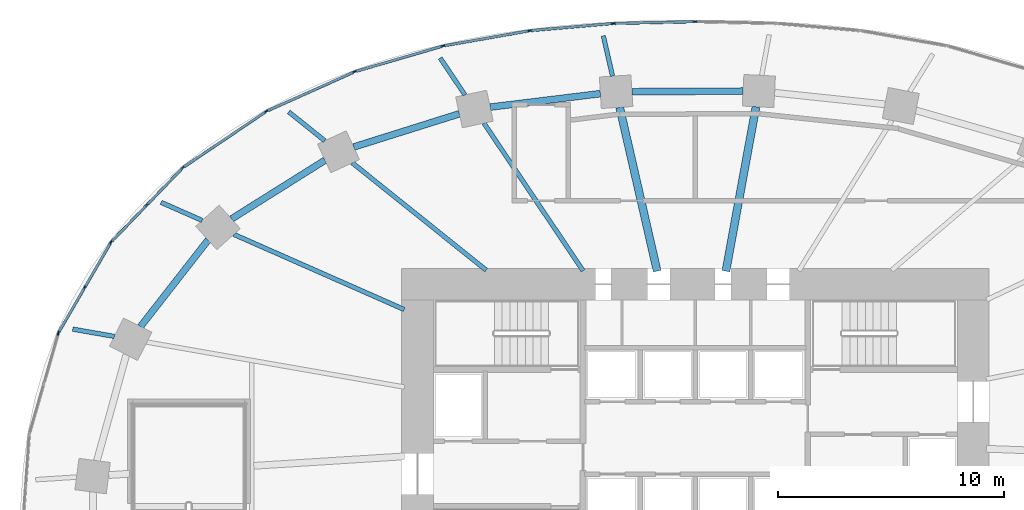
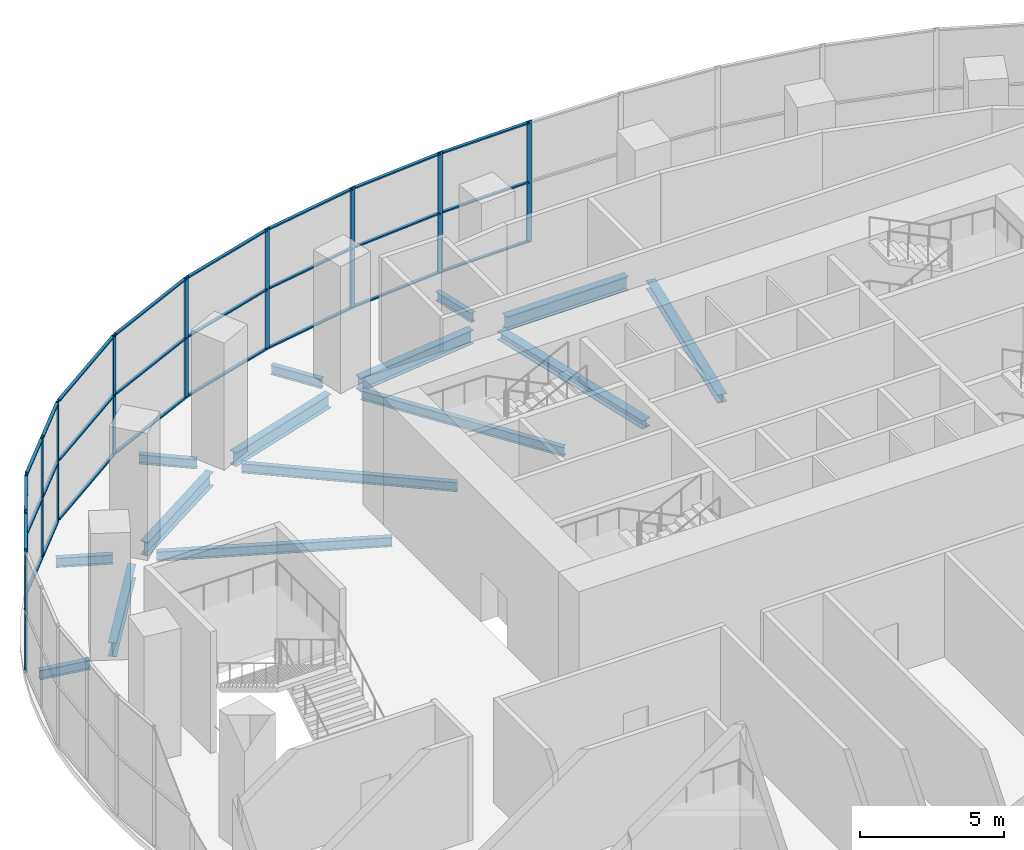
# One storey, part 7 of 20: 41 members, 15 beams, 9 elements without a shape of their own.
"""IFC4 building model written with IfcOpenShell, lengths in metres."""

from ifc_helpers import new_model, si_unit, direction, frame, origin, origin_2d, place, context, subcontext, project, spatial, rectangle, i_section, extrude, material, material_profile, profile_set, type_object, element, aggregate, save


model = new_model("IFC4")

# Units and contexts
model_context = context("Model", 3, precision=1e-05, world=origin(), true_north=direction((0.0, 1.0)))
body_context = subcontext(model_context, "Body", "Model", "MODEL_VIEW")
ifc_project = project(units=[si_unit("LENGTHUNIT", "METRE"), si_unit("AREAUNIT", "SQUARE_METRE"), si_unit("VOLUMEUNIT", "CUBIC_METRE"), si_unit("PLANEANGLEUNIT", "RADIAN"), si_unit("MASSUNIT", "GRAM", prefix="KILO")], contexts=[model_context])

# Site, building, storey
site_placement = place(None, origin())
site = spatial("IfcSite", under=ifc_project, at=site_placement, CompositionType="ELEMENT")
building_placement = place(site_placement, origin())
building = spatial("IfcBuilding", under=site, at=building_placement, Name="Rubra Terraces Tower", CompositionType="ELEMENT")
storey_placement = place(building_placement, frame((0.0, 0.0, 22.800048828125)))
storey = spatial("IfcBuildingStorey", under=building, at=storey_placement, Name="L03", CompositionType="ELEMENT", Elevation=22.800048828125)

# Beams
ifc_material_1 = material(Name="Steel Q355B", Category="steel")
ifc_material_profile_1 = material_profile(ifc_material_1, i_section(OverallWidth=0.199951171875, OverallDepth=0.39990234375, WebThickness=0.008056640625, FlangeThickness=0.012939453125, at=origin_2d()), Name="HN 400x200x8x13")
ifc_profile_set_1 = profile_set([ifc_material_profile_1], Name="Steel Q355B")
beam_type_1 = type_object("IfcBeamType", Name="CANTILEVER BEAM HN 400x200x8x13", PredefinedType="BEAM", material=ifc_profile_set_1)
beam_1_placement = place(storey_placement, frame((-3.6669921875, 20.514892578125, -0.449951171875), z_axis=(-0.223175715845, 0.974778231116, 0.0), x_axis=(-0.974778231116, -0.223175715845, 0.0)))
element("IfcBeam", 1, at=beam_1_placement, inside=storey, type_object=beam_type_1, Name="beam-L03-cant-07", PredefinedType="BEAM", context=body_context, shape_type="SweptSolid", body=[
    extrude(i_section(OverallWidth=0.199951171875, OverallDepth=0.39990234375, WebThickness=0.008056640625, FlangeThickness=0.012939453125, at=origin_2d()), origin(), (0.0, 0.0, 1.0), 1.832275390625),
])
beam_2_placement = place(storey_placement, frame((-10.199951171875, 19.68310546875, -0.449951171875), z_axis=(-0.557732327532, 0.830020873729, 0.0), x_axis=(-0.830020873729, -0.557732327532, 0.0)))
element("IfcBeam", 2, at=beam_2_placement, inside=storey, type_object=beam_type_1, Name="beam-L03-cant-08", PredefinedType="BEAM", context=body_context, shape_type="SweptSolid", body=[
    extrude(i_section(OverallWidth=0.199951171875, OverallDepth=0.39990234375, WebThickness=0.008056640625, FlangeThickness=0.012939453125, at=origin_2d()), origin(), (0.0, 0.0, 1.0), 1.96728515625),
])
beam_3_placement = place(storey_placement, frame((-16.408935546875, 17.654052734375, -0.449951171875), z_axis=(-0.780088162003, 0.625669608901, 0.0), x_axis=(-0.625669608901, -0.780088162003, 0.0)))
element("IfcBeam", 3, at=beam_3_placement, inside=storey, type_object=beam_type_1, Name="beam-L03-cant-09", PredefinedType="BEAM", context=body_context, shape_type="SweptSolid", body=[
    extrude(i_section(OverallWidth=0.199951171875, OverallDepth=0.39990234375, WebThickness=0.008056640625, FlangeThickness=0.012939453125, at=origin_2d()), origin(), (0.0, 0.0, 1.0), 2.0458984375),
])
beam_4_placement = place(storey_placement, frame((-21.8369140625, 14.1259765625, -0.449951171875), z_axis=(-0.914937817451, 0.403594834205, 0.0), x_axis=(-0.403594834205, -0.914937817451, 0.0)))
element("IfcBeam", 4, at=beam_4_placement, inside=storey, type_object=beam_type_1, Name="beam-L03-cant-10", PredefinedType="BEAM", context=body_context, shape_type="SweptSolid", body=[
    extrude(i_section(OverallWidth=0.199951171875, OverallDepth=0.39990234375, WebThickness=0.008056640625, FlangeThickness=0.012939453125, at=origin_2d()), origin(), (0.0, 0.0, 1.0), 1.987060546875),
])
beam_5_placement = place(storey_placement, frame((-25.722900390625, 8.991943359375, -0.449951171875), z_axis=(-0.985091859612, 0.172029149057, 0.0), x_axis=(-0.172029149057, -0.985091859612, 0.0)))
element("IfcBeam", 5, at=beam_5_placement, inside=storey, type_object=beam_type_1, Name="beam-L03-cant-11", PredefinedType="BEAM", context=body_context, shape_type="SweptSolid", body=[
    extrude(i_section(OverallWidth=0.199951171875, OverallDepth=0.39990234375, WebThickness=0.008056640625, FlangeThickness=0.012939453125, at=origin_2d()), origin(), (0.0, 0.0, 1.0), 1.871826171875),
])
ifc_material_profile_2 = material_profile(ifc_material_1, i_section(OverallWidth=0.199951171875, OverallDepth=0.39990234375, WebThickness=0.008056640625, FlangeThickness=0.012939453125, at=origin_2d()), Name="HN 400x200x8x13")
ifc_profile_set_2 = profile_set([ifc_material_profile_2], Name="Steel Q355B")
beam_type_2 = type_object("IfcBeamType", Name="FLOOR BEAM HN 400x200x8x13", PredefinedType="BEAM", material=ifc_profile_set_2)
beam_6_placement = place(storey_placement, frame((-9.360107421875, 18.43310546875, -0.449951171875), z_axis=(0.557574689395, -0.830126776912, 0.0), x_axis=(0.830126776912, 0.557574689395, 0.0)))
element("IfcBeam", 6, at=beam_6_placement, inside=storey, type_object=beam_type_2, Name="beam-L03-floor-08", PredefinedType="BEAM", context=body_context, shape_type="SweptSolid", body=[
    extrude(i_section(OverallWidth=0.199951171875, OverallDepth=0.39990234375, WebThickness=0.008056640625, FlangeThickness=0.012939453125, at=origin_2d()), origin(), (0.0, 0.0, 1.0), 7.8701171875),
])
beam_7_placement = place(storey_placement, frame((-15.18896484375, 16.676025390625, -0.449951171875), z_axis=(0.780266406942, -0.625447307291, 0.0), x_axis=(0.625447307291, 0.780266406942, 0.0)))
element("IfcBeam", 7, at=beam_7_placement, inside=storey, type_object=beam_type_2, Name="beam-L03-floor-09", PredefinedType="BEAM", context=body_context, shape_type="SweptSolid", body=[
    extrude(i_section(OverallWidth=0.199951171875, OverallDepth=0.39990234375, WebThickness=0.008056640625, FlangeThickness=0.012939453125, at=origin_2d()), origin(), (0.0, 0.0, 1.0), 7.59619140625),
])
beam_8_placement = place(storey_placement, frame((-20.43310546875, 13.508056640625, -0.449951171875), z_axis=(0.914994662209, -0.4034659442, 0.0), x_axis=(0.4034659442, 0.914994662209, 0.0)))
element("IfcBeam", 8, at=beam_8_placement, inside=storey, type_object=beam_type_2, Name="beam-L03-floor-10", PredefinedType="BEAM", context=body_context, shape_type="SweptSolid", body=[
    extrude(i_section(OverallWidth=0.199951171875, OverallDepth=0.39990234375, WebThickness=0.008056640625, FlangeThickness=0.012939453125, at=origin_2d()), origin(), (0.0, 0.0, 1.0), 8.243896484375),
])
ifc_material_profile_3 = material_profile(ifc_material_1, i_section(OverallWidth=0.35009765625, OverallDepth=0.35009765625, WebThickness=0.011962890625, FlangeThickness=0.01904296875, at=origin_2d()), Name="HW 350x350x12x19")
ifc_profile_set_3 = profile_set([ifc_material_profile_3], Name="Steel Q355B")
beam_type_3 = type_object("IfcBeamType", Name="FLOOR BEAM HW 350x350x12x19", PredefinedType="BEAM", material=ifc_profile_set_3)
beam_9_placement = place(storey_placement, frame((2.68408203125, 19.158935546875, -0.425048828125), z_axis=(-0.180186319425, -0.983632497578, 0.0), x_axis=(0.983632497578, -0.180186319425, 0.0)))
element("IfcBeam", 9, at=beam_9_placement, inside=storey, type_object=beam_type_3, Name="beam-L03-floor-06", PredefinedType="BEAM", context=body_context, shape_type="SweptSolid", body=[
    extrude(i_section(OverallWidth=0.35009765625, OverallDepth=0.35009765625, WebThickness=0.011962890625, FlangeThickness=0.01904296875, at=origin_2d()), origin(), (0.0, 0.0, 1.0), 7.39794921875),
])
beam_10_placement = place(storey_placement, frame((-3.35107421875, 19.133056640625, -0.425048828125), z_axis=(0.223209821828, -0.974770421914, 0.0), x_axis=(0.974770421914, 0.223209821828, 0.0)))
element("IfcBeam", 10, at=beam_10_placement, inside=storey, type_object=beam_type_3, Name="beam-L03-floor-07", PredefinedType="BEAM", context=body_context, shape_type="SweptSolid", body=[
    extrude(i_section(OverallWidth=0.35009765625, OverallDepth=0.35009765625, WebThickness=0.011962890625, FlangeThickness=0.01904296875, at=origin_2d()), origin(), (0.0, 0.0, 1.0), 7.437744140625),
])

# Curtain wall, member
ifc_material_2 = material(Name="Aluminium and glass", Category="aluminium")
curtain_wall_type = type_object("IfcCurtainWallType", Name="Curtain wall Podium glazing", PredefinedType="NOTDEFINED", material=ifc_material_2)
curtain_wall_1_placement = place(storey_placement, origin())
curtain_wall_1 = element("IfcCurtainWall", 11, at=curtain_wall_1_placement, inside=storey, type_object=curtain_wall_type, Name="L03 glazing bay 11", PredefinedType="NOTDEFINED")
ifc_material_3 = material(Name="Aluminium, anodised dark grey", Category="aluminium")
ifc_material_profile_4 = material_profile(ifc_material_3, rectangle(XDim=0.06005859375, YDim=0.199951171875, at=origin_2d()), Name="AL 60x200")
ifc_profile_set_4 = profile_set([ifc_material_profile_4], Name="Aluminium, anodised dark grey")
member_type_1 = type_object("IfcMemberType", Name="Podium glazing mullion 60 x 200", PredefinedType="MULLION", material=ifc_profile_set_4)
member_1_placement = place(storey_placement, frame((-0.0283203125, 22.92431640625, 0.0), z_axis=(0.0, 0.0, 1.0), x_axis=(0.021482644428, -0.999769221365, 0.0)))
member_1 = element("IfcMember", 12, at=member_1_placement, type_object=member_type_1, Name="CW1 mullion 1", PredefinedType="MULLION", context=body_context, shape_type="SweptSolid", body=[
    extrude(rectangle(XDim=0.06005859375, YDim=0.199951171875, at=origin_2d()), origin(), (0.0, 0.0, 1.0), 5.14990234375),
])

curtain_wall_2_placement = place(storey_placement, origin())
curtain_wall_2 = element("IfcCurtainWall", 13, at=curtain_wall_2_placement, inside=storey, type_object=curtain_wall_type, Name="L03 glazing bay 12", PredefinedType="NOTDEFINED")
member_2_placement = place(storey_placement, frame((-3.6533203125, 22.8447265625, 0.0), z_axis=(0.0, 0.0, 1.0), x_axis=(0.08639804595, -0.996260697637, 0.0)))
member_2 = element("IfcMember", 14, at=member_2_placement, type_object=member_type_1, Name="CW1 mullion 1", PredefinedType="MULLION", context=body_context, shape_type="SweptSolid", body=[
    extrude(rectangle(XDim=0.06005859375, YDim=0.199951171875, at=origin_2d()), origin(), (0.0, 0.0, 1.0), 5.14990234375),
])

curtain_wall_3_placement = place(storey_placement, origin())
curtain_wall_3 = element("IfcCurtainWall", 15, at=curtain_wall_3_placement, inside=storey, type_object=curtain_wall_type, Name="L03 glazing bay 13", PredefinedType="NOTDEFINED")
member_3_placement = place(storey_placement, frame((-7.359619140625, 22.52099609375, 0.0), z_axis=(0.0, 0.0, 1.0), x_axis=(0.172816985997, -0.984953952909, 0.0)))
member_3 = element("IfcMember", 16, at=member_3_placement, type_object=member_type_1, Name="CW1 mullion 1", PredefinedType="MULLION", context=body_context, shape_type="SweptSolid", body=[
    extrude(rectangle(XDim=0.06005859375, YDim=0.199951171875, at=origin_2d()), origin(), (0.0, 0.0, 1.0), 5.14990234375),
])

curtain_wall_4_placement = place(storey_placement, origin())
curtain_wall_4 = element("IfcCurtainWall", 17, at=curtain_wall_4_placement, inside=storey, type_object=curtain_wall_type, Name="L03 glazing bay 14", PredefinedType="NOTDEFINED")
member_4_placement = place(storey_placement, frame((-11.180908203125, 21.84765625, 0.0), z_axis=(0.0, 0.0, 1.0), x_axis=(0.279399200229, -0.96017502931, 0.0)))
member_4 = element("IfcMember", 18, at=member_4_placement, type_object=member_type_1, Name="CW1 mullion 1", PredefinedType="MULLION", context=body_context, shape_type="SweptSolid", body=[
    extrude(rectangle(XDim=0.06005859375, YDim=0.199951171875, at=origin_2d()), origin(), (0.0, 0.0, 1.0), 5.14990234375),
])

curtain_wall_5_placement = place(storey_placement, origin())
curtain_wall_5 = element("IfcCurtainWall", 19, at=curtain_wall_5_placement, inside=storey, type_object=curtain_wall_type, Name="L03 glazing bay 15", PredefinedType="NOTDEFINED")
member_5_placement = place(storey_placement, frame((-15.09765625, 20.704345703125, 0.0), z_axis=(0.0, 0.0, 1.0), x_axis=(0.4089624427, -0.912551215254, 0.0)))
member_5 = element("IfcMember", 20, at=member_5_placement, type_object=member_type_1, Name="CW1 mullion 1", PredefinedType="MULLION", context=body_context, shape_type="SweptSolid", body=[
    extrude(rectangle(XDim=0.06005859375, YDim=0.199951171875, at=origin_2d()), origin(), (0.0, 0.0, 1.0), 5.14990234375),
])

curtain_wall_6_placement = place(storey_placement, origin())
curtain_wall_6 = element("IfcCurtainWall", 21, at=curtain_wall_6_placement, inside=storey, type_object=curtain_wall_type, Name="L03 glazing bay 16", PredefinedType="NOTDEFINED")
member_6_placement = place(storey_placement, frame((-19.009033203125, 18.947021484375, 0.0), z_axis=(0.0, 0.0, 1.0), x_axis=(0.55927727939, -0.828980654031, 0.0)))
member_6 = element("IfcMember", 22, at=member_6_placement, type_object=member_type_1, Name="CW1 mullion 1", PredefinedType="MULLION", context=body_context, shape_type="SweptSolid", body=[
    extrude(rectangle(XDim=0.06005859375, YDim=0.199951171875, at=origin_2d()), origin(), (0.0, 0.0, 1.0), 5.14990234375),
])

# Curtain wall, members
curtain_wall_7_placement = place(storey_placement, origin())
curtain_wall_7 = element("IfcCurtainWall", 23, at=curtain_wall_7_placement, inside=storey, type_object=curtain_wall_type, Name="L03 glazing bay 17", PredefinedType="NOTDEFINED")
member_7_placement = place(storey_placement, frame((-22.705810546875, 16.447265625, 0.0), z_axis=(0.0, 0.0, 1.0), x_axis=(0.71982488517, -0.69415569917, 0.0)))
member_7 = element("IfcMember", 24, at=member_7_placement, type_object=member_type_1, Name="CW1 mullion 1", PredefinedType="MULLION", context=body_context, shape_type="SweptSolid", body=[
    extrude(rectangle(XDim=0.06005859375, YDim=0.199951171875, at=origin_2d()), origin(), (0.0, 0.0, 1.0), 5.14990234375),
])
member_8_placement = place(storey_placement, frame((-24.280517578125, 14.814453125, 0.0), z_axis=(0.0, 0.0, 1.0), x_axis=(0.71982488517, -0.69415569917, 0.0)))
member_8 = element("IfcMember", 25, at=member_8_placement, type_object=member_type_1, Name="CW1 mullion 2", PredefinedType="MULLION", context=body_context, shape_type="SweptSolid", body=[
    extrude(rectangle(XDim=0.06005859375, YDim=0.199951171875, at=origin_2d()), origin(), (0.0, 0.0, 1.0), 5.14990234375),
])

curtain_wall_8_placement = place(storey_placement, origin())
curtain_wall_8 = element("IfcCurtainWall", 26, at=curtain_wall_8_placement, inside=storey, type_object=curtain_wall_type, Name="L03 glazing bay 18", PredefinedType="NOTDEFINED")
member_9_placement = place(storey_placement, frame((-25.880126953125, 13.1484375, 0.0), z_axis=(0.0, 0.0, 1.0), x_axis=(0.864813011398, -0.502094070187, 0.0)))
member_9 = element("IfcMember", 27, at=member_9_placement, type_object=member_type_1, Name="CW1 mullion 1", PredefinedType="MULLION", context=body_context, shape_type="SweptSolid", body=[
    extrude(rectangle(XDim=0.06005859375, YDim=0.199951171875, at=origin_2d()), origin(), (0.0, 0.0, 1.0), 5.14990234375),
])
member_10_placement = place(storey_placement, frame((-27.0341796875, 11.160888671875, 0.0), z_axis=(0.0, 0.0, 1.0), x_axis=(0.864813011398, -0.502094070187, 0.0)))
member_10 = element("IfcMember", 28, at=member_10_placement, type_object=member_type_1, Name="CW1 mullion 2", PredefinedType="MULLION", context=body_context, shape_type="SweptSolid", body=[
    extrude(rectangle(XDim=0.06005859375, YDim=0.199951171875, at=origin_2d()), origin(), (0.0, 0.0, 1.0), 5.14990234375),
])

# Curtain wall, member
curtain_wall_9_placement = place(storey_placement, origin())
curtain_wall_9 = element("IfcCurtainWall", 29, at=curtain_wall_9_placement, inside=storey, type_object=curtain_wall_type, Name="L03 glazing bay 19", PredefinedType="NOTDEFINED")
member_11_placement = place(storey_placement, frame((-28.2041015625, 9.135498046875, 0.0), z_axis=(0.0, 0.0, 1.0), x_axis=(0.961047339404, -0.276383811798, 0.0)))
member_11 = element("IfcMember", 30, at=member_11_placement, type_object=member_type_1, Name="CW1 mullion 1", PredefinedType="MULLION", context=body_context, shape_type="SweptSolid", body=[
    extrude(rectangle(XDim=0.06005859375, YDim=0.199951171875, at=origin_2d()), origin(), (0.0, 0.0, 1.0), 5.14990234375),
])
aggregate(curtain_wall_9, [member_11])

# Member
ifc_material_profile_5 = material_profile(ifc_material_3, rectangle(XDim=0.1201171875, YDim=0.06005859375, at=origin_2d()), Name="AL 120x60")
ifc_profile_set_5 = profile_set([ifc_material_profile_5], Name="Aluminium, anodised dark grey")
member_type_2 = type_object("IfcMemberType", Name="Podium glazing transom 120 x 60", PredefinedType="USERDEFINED", material=ifc_profile_set_5)
member_12_placement = place(storey_placement, frame((-0.058349609375, 22.923828125, 0.06005859375), z_axis=(-0.99976911273, -0.021487699509, 0.0), x_axis=(0.021487699509, -0.99976911273, 0.0)))
member_12 = element("IfcMember", 31, at=member_12_placement, type_object=member_type_2, Name="CW1 transom 1.1", ObjectType="TRANSOM", PredefinedType="USERDEFINED", context=body_context, shape_type="SweptSolid", body=[
    extrude(rectangle(XDim=0.1201171875, YDim=0.06005859375, at=origin_2d()), origin(), (0.0, 0.0, 1.0), 3.5107421875),
])

member_13_placement = place(storey_placement, frame((-0.058349609375, 22.923828125, 2.574951171875), z_axis=(-0.99976911273, -0.021487699509, 0.0), x_axis=(0.021487699509, -0.99976911273, 0.0)))
member_13 = element("IfcMember", 32, at=member_13_placement, type_object=member_type_2, Name="CW1 transom 1.2", ObjectType="TRANSOM", PredefinedType="USERDEFINED", context=body_context, shape_type="SweptSolid", body=[
    extrude(rectangle(XDim=0.1201171875, YDim=0.06005859375, at=origin_2d()), origin(), (0.0, 0.0, 1.0), 3.5107421875),
])

member_14_placement = place(storey_placement, frame((-0.058349609375, 22.923828125, 5.08984375), z_axis=(-0.99976911273, -0.021487699509, 0.0), x_axis=(0.021487699509, -0.99976911273, 0.0)))
member_14 = element("IfcMember", 33, at=member_14_placement, type_object=member_type_2, Name="CW1 transom 1.3", ObjectType="TRANSOM", PredefinedType="USERDEFINED", context=body_context, shape_type="SweptSolid", body=[
    extrude(rectangle(XDim=0.1201171875, YDim=0.06005859375, at=origin_2d()), origin(), (0.0, 0.0, 1.0), 3.5107421875),
])

aggregate(curtain_wall_1, [member_1, member_12, member_13, member_14])

member_15_placement = place(storey_placement, frame((-3.683349609375, 22.842041015625, 0.06005859375), z_axis=(-0.996262906738, -0.086372568895, 0.0), x_axis=(0.086372568895, -0.996262906738, 0.0)))
member_15 = element("IfcMember", 34, at=member_15_placement, type_object=member_type_2, Name="CW1 transom 1.1", ObjectType="TRANSOM", PredefinedType="USERDEFINED", context=body_context, shape_type="SweptSolid", body=[
    extrude(rectangle(XDim=0.1201171875, YDim=0.06005859375, at=origin_2d()), origin(), (0.0, 0.0, 1.0), 3.606689453125),
])

member_16_placement = place(storey_placement, frame((-3.683349609375, 22.842041015625, 2.574951171875), z_axis=(-0.996262906738, -0.086372568895, 0.0), x_axis=(0.086372568895, -0.996262906738, 0.0)))
member_16 = element("IfcMember", 35, at=member_16_placement, type_object=member_type_2, Name="CW1 transom 1.2", ObjectType="TRANSOM", PredefinedType="USERDEFINED", context=body_context, shape_type="SweptSolid", body=[
    extrude(rectangle(XDim=0.1201171875, YDim=0.06005859375, at=origin_2d()), origin(), (0.0, 0.0, 1.0), 3.606689453125),
])

member_17_placement = place(storey_placement, frame((-3.683349609375, 22.842041015625, 5.08984375), z_axis=(-0.996262906738, -0.086372568895, 0.0), x_axis=(0.086372568895, -0.996262906738, 0.0)))
member_17 = element("IfcMember", 36, at=member_17_placement, type_object=member_type_2, Name="CW1 transom 1.3", ObjectType="TRANSOM", PredefinedType="USERDEFINED", context=body_context, shape_type="SweptSolid", body=[
    extrude(rectangle(XDim=0.1201171875, YDim=0.06005859375, at=origin_2d()), origin(), (0.0, 0.0, 1.0), 3.606689453125),
])

aggregate(curtain_wall_2, [member_2, member_15, member_16, member_17])

member_18_placement = place(storey_placement, frame((-7.38916015625, 22.515625, 0.06005859375), z_axis=(-0.984959152546, -0.172787348539, 0.0), x_axis=(0.172787348539, -0.984959152546, 0.0)))
member_18 = element("IfcMember", 37, at=member_18_placement, type_object=member_type_2, Name="CW1 transom 1.1", ObjectType="TRANSOM", PredefinedType="USERDEFINED", context=body_context, shape_type="SweptSolid", body=[
    extrude(rectangle(XDim=0.1201171875, YDim=0.06005859375, at=origin_2d()), origin(), (0.0, 0.0, 1.0), 3.768310546875),
])

member_19_placement = place(storey_placement, frame((-7.38916015625, 22.515625, 2.574951171875), z_axis=(-0.984959152546, -0.172787348539, 0.0), x_axis=(0.172787348539, -0.984959152546, 0.0)))
member_19 = element("IfcMember", 38, at=member_19_placement, type_object=member_type_2, Name="CW1 transom 1.2", ObjectType="TRANSOM", PredefinedType="USERDEFINED", context=body_context, shape_type="SweptSolid", body=[
    extrude(rectangle(XDim=0.1201171875, YDim=0.06005859375, at=origin_2d()), origin(), (0.0, 0.0, 1.0), 3.768310546875),
])

member_20_placement = place(storey_placement, frame((-7.38916015625, 22.515625, 5.08984375), z_axis=(-0.984959152546, -0.172787348539, 0.0), x_axis=(0.172787348539, -0.984959152546, 0.0)))
member_20 = element("IfcMember", 39, at=member_20_placement, type_object=member_type_2, Name="CW1 transom 1.3", ObjectType="TRANSOM", PredefinedType="USERDEFINED", context=body_context, shape_type="SweptSolid", body=[
    extrude(rectangle(XDim=0.1201171875, YDim=0.06005859375, at=origin_2d()), origin(), (0.0, 0.0, 1.0), 3.768310546875),
])

aggregate(curtain_wall_3, [member_3, member_18, member_19, member_20])

member_21_placement = place(storey_placement, frame((-11.209716796875, 21.83935546875, 0.06005859375), z_axis=(-0.960164409194, -0.279435694422, 0.0), x_axis=(0.279435694422, -0.960164409194, 0.0)))
member_21 = element("IfcMember", 40, at=member_21_placement, type_object=member_type_2, Name="CW1 transom 1.1", ObjectType="TRANSOM", PredefinedType="USERDEFINED", context=body_context, shape_type="SweptSolid", body=[
    extrude(rectangle(XDim=0.1201171875, YDim=0.06005859375, at=origin_2d()), origin(), (0.0, 0.0, 1.0), 3.970947265625),
])

member_22_placement = place(storey_placement, frame((-11.209716796875, 21.83935546875, 2.574951171875), z_axis=(-0.960164409194, -0.279435694422, 0.0), x_axis=(0.279435694422, -0.960164409194, 0.0)))
member_22 = element("IfcMember", 41, at=member_22_placement, type_object=member_type_2, Name="CW1 transom 1.2", ObjectType="TRANSOM", PredefinedType="USERDEFINED", context=body_context, shape_type="SweptSolid", body=[
    extrude(rectangle(XDim=0.1201171875, YDim=0.06005859375, at=origin_2d()), origin(), (0.0, 0.0, 1.0), 3.970947265625),
])

member_23_placement = place(storey_placement, frame((-11.209716796875, 21.83935546875, 5.08984375), z_axis=(-0.960164409194, -0.279435694422, 0.0), x_axis=(0.279435694422, -0.960164409194, 0.0)))
member_23 = element("IfcMember", 42, at=member_23_placement, type_object=member_type_2, Name="CW1 transom 1.3", ObjectType="TRANSOM", PredefinedType="USERDEFINED", context=body_context, shape_type="SweptSolid", body=[
    extrude(rectangle(XDim=0.1201171875, YDim=0.06005859375, at=origin_2d()), origin(), (0.0, 0.0, 1.0), 3.970947265625),
])

aggregate(curtain_wall_4, [member_4, member_21, member_22, member_23])

member_24_placement = place(storey_placement, frame((-15.125, 20.692138671875, 0.06005859375), z_axis=(-0.912545396627, -0.408975426029, 0.0), x_axis=(0.408975426029, -0.912545396627, 0.0)))
member_24 = element("IfcMember", 43, at=member_24_placement, type_object=member_type_2, Name="CW1 transom 1.1", ObjectType="TRANSOM", PredefinedType="USERDEFINED", context=body_context, shape_type="SweptSolid", body=[
    extrude(rectangle(XDim=0.1201171875, YDim=0.06005859375, at=origin_2d()), origin(), (0.0, 0.0, 1.0), 4.18115234375),
])

member_25_placement = place(storey_placement, frame((-15.125, 20.692138671875, 2.574951171875), z_axis=(-0.912545396627, -0.408975426029, 0.0), x_axis=(0.408975426029, -0.912545396627, 0.0)))
member_25 = element("IfcMember", 44, at=member_25_placement, type_object=member_type_2, Name="CW1 transom 1.2", ObjectType="TRANSOM", PredefinedType="USERDEFINED", context=body_context, shape_type="SweptSolid", body=[
    extrude(rectangle(XDim=0.1201171875, YDim=0.06005859375, at=origin_2d()), origin(), (0.0, 0.0, 1.0), 4.18115234375),
])

member_26_placement = place(storey_placement, frame((-15.125, 20.692138671875, 5.08984375), z_axis=(-0.912545396627, -0.408975426029, 0.0), x_axis=(0.408975426029, -0.912545396627, 0.0)))
member_26 = element("IfcMember", 45, at=member_26_placement, type_object=member_type_2, Name="CW1 transom 1.3", ObjectType="TRANSOM", PredefinedType="USERDEFINED", context=body_context, shape_type="SweptSolid", body=[
    extrude(rectangle(XDim=0.1201171875, YDim=0.06005859375, at=origin_2d()), origin(), (0.0, 0.0, 1.0), 4.18115234375),
])

aggregate(curtain_wall_5, [member_5, member_24, member_25, member_26])

member_27_placement = place(storey_placement, frame((-19.033935546875, 18.93017578125, 0.06005859375), z_axis=(-0.828996039897, -0.559254473236, 0.0), x_axis=(0.559254473236, -0.828996039897, 0.0)))
member_27 = element("IfcMember", 46, at=member_27_placement, type_object=member_type_2, Name="CW1 transom 1.1", ObjectType="TRANSOM", PredefinedType="USERDEFINED", context=body_context, shape_type="SweptSolid", body=[
    extrude(rectangle(XDim=0.1201171875, YDim=0.06005859375, at=origin_2d()), origin(), (0.0, 0.0, 1.0), 4.35888671875),
])

member_28_placement = place(storey_placement, frame((-19.033935546875, 18.93017578125, 2.574951171875), z_axis=(-0.828996039897, -0.559254473236, 0.0), x_axis=(0.559254473236, -0.828996039897, 0.0)))
member_28 = element("IfcMember", 47, at=member_28_placement, type_object=member_type_2, Name="CW1 transom 1.2", ObjectType="TRANSOM", PredefinedType="USERDEFINED", context=body_context, shape_type="SweptSolid", body=[
    extrude(rectangle(XDim=0.1201171875, YDim=0.06005859375, at=origin_2d()), origin(), (0.0, 0.0, 1.0), 4.35888671875),
])

member_29_placement = place(storey_placement, frame((-19.033935546875, 18.93017578125, 5.08984375), z_axis=(-0.828996039897, -0.559254473236, 0.0), x_axis=(0.559254473236, -0.828996039897, 0.0)))
member_29 = element("IfcMember", 48, at=member_29_placement, type_object=member_type_2, Name="CW1 transom 1.3", ObjectType="TRANSOM", PredefinedType="USERDEFINED", context=body_context, shape_type="SweptSolid", body=[
    extrude(rectangle(XDim=0.1201171875, YDim=0.06005859375, at=origin_2d()), origin(), (0.0, 0.0, 1.0), 4.35888671875),
])

aggregate(curtain_wall_6, [member_6, member_27, member_28, member_29])

member_30_placement = place(storey_placement, frame((-22.7265625, 16.42578125, 0.06005859375), z_axis=(-0.694168299732, -0.719812733735, 0.0), x_axis=(0.719812733735, -0.694168299732, 0.0)))
member_30 = element("IfcMember", 49, at=member_30_placement, type_object=member_type_2, Name="CW1 transom 1.1", ObjectType="TRANSOM", PredefinedType="USERDEFINED", context=body_context, shape_type="SweptSolid", body=[
    extrude(rectangle(XDim=0.1201171875, YDim=0.06005859375, at=origin_2d()), origin(), (0.0, 0.0, 1.0), 2.208740234375),
])

member_31_placement = place(storey_placement, frame((-22.7265625, 16.42578125, 2.574951171875), z_axis=(-0.694168299732, -0.719812733735, 0.0), x_axis=(0.719812733735, -0.694168299732, 0.0)))
member_31 = element("IfcMember", 50, at=member_31_placement, type_object=member_type_2, Name="CW1 transom 1.2", ObjectType="TRANSOM", PredefinedType="USERDEFINED", context=body_context, shape_type="SweptSolid", body=[
    extrude(rectangle(XDim=0.1201171875, YDim=0.06005859375, at=origin_2d()), origin(), (0.0, 0.0, 1.0), 2.208740234375),
])

member_32_placement = place(storey_placement, frame((-22.7265625, 16.42578125, 5.08984375), z_axis=(-0.694168299732, -0.719812733735, 0.0), x_axis=(0.719812733735, -0.694168299732, 0.0)))
member_32 = element("IfcMember", 51, at=member_32_placement, type_object=member_type_2, Name="CW1 transom 1.3", ObjectType="TRANSOM", PredefinedType="USERDEFINED", context=body_context, shape_type="SweptSolid", body=[
    extrude(rectangle(XDim=0.1201171875, YDim=0.06005859375, at=origin_2d()), origin(), (0.0, 0.0, 1.0), 2.208740234375),
])

member_33_placement = place(storey_placement, frame((-24.30126953125, 14.792724609375, 0.06005859375), z_axis=(-0.694223533913, -0.719759463266, 0.0), x_axis=(0.719759463266, -0.694223533913, 0.0)))
member_33 = element("IfcMember", 52, at=member_33_placement, type_object=member_type_2, Name="CW1 transom 2.1", ObjectType="TRANSOM", PredefinedType="USERDEFINED", context=body_context, shape_type="SweptSolid", body=[
    extrude(rectangle(XDim=0.1201171875, YDim=0.06005859375, at=origin_2d()), origin(), (0.0, 0.0, 1.0), 2.20849609375),
])

member_34_placement = place(storey_placement, frame((-24.30126953125, 14.792724609375, 2.574951171875), z_axis=(-0.694223533913, -0.719759463266, 0.0), x_axis=(0.719759463266, -0.694223533913, 0.0)))
member_34 = element("IfcMember", 53, at=member_34_placement, type_object=member_type_2, Name="CW1 transom 2.2", ObjectType="TRANSOM", PredefinedType="USERDEFINED", context=body_context, shape_type="SweptSolid", body=[
    extrude(rectangle(XDim=0.1201171875, YDim=0.06005859375, at=origin_2d()), origin(), (0.0, 0.0, 1.0), 2.20849609375),
])

member_35_placement = place(storey_placement, frame((-24.30126953125, 14.792724609375, 5.08984375), z_axis=(-0.694223533913, -0.719759463266, 0.0), x_axis=(0.719759463266, -0.694223533913, 0.0)))
member_35 = element("IfcMember", 54, at=member_35_placement, type_object=member_type_2, Name="CW1 transom 2.3", ObjectType="TRANSOM", PredefinedType="USERDEFINED", context=body_context, shape_type="SweptSolid", body=[
    extrude(rectangle(XDim=0.1201171875, YDim=0.06005859375, at=origin_2d()), origin(), (0.0, 0.0, 1.0), 2.20849609375),
])

aggregate(curtain_wall_7, [member_7, member_8, member_30, member_31, member_32, member_33, member_34, member_35])

member_36_placement = place(storey_placement, frame((-25.895263671875, 13.122314453125, 0.06005859375), z_axis=(-0.502106569931, -0.864805754162, 0.0), x_axis=(0.864805754162, -0.502106569931, 0.0)))
member_36 = element("IfcMember", 55, at=member_36_placement, type_object=member_type_2, Name="CW1 transom 1.1", ObjectType="TRANSOM", PredefinedType="USERDEFINED", context=body_context, shape_type="SweptSolid", body=[
    extrude(rectangle(XDim=0.1201171875, YDim=0.06005859375, at=origin_2d()), origin(), (0.0, 0.0, 1.0), 2.238037109375),
])

member_37_placement = place(storey_placement, frame((-25.895263671875, 13.122314453125, 2.574951171875), z_axis=(-0.502106569931, -0.864805754162, 0.0), x_axis=(0.864805754162, -0.502106569931, 0.0)))
member_37 = element("IfcMember", 56, at=member_37_placement, type_object=member_type_2, Name="CW1 transom 1.2", ObjectType="TRANSOM", PredefinedType="USERDEFINED", context=body_context, shape_type="SweptSolid", body=[
    extrude(rectangle(XDim=0.1201171875, YDim=0.06005859375, at=origin_2d()), origin(), (0.0, 0.0, 1.0), 2.238037109375),
])

member_38_placement = place(storey_placement, frame((-25.895263671875, 13.122314453125, 5.08984375), z_axis=(-0.502106569931, -0.864805754162, 0.0), x_axis=(0.864805754162, -0.502106569931, 0.0)))
member_38 = element("IfcMember", 57, at=member_38_placement, type_object=member_type_2, Name="CW1 transom 1.3", ObjectType="TRANSOM", PredefinedType="USERDEFINED", context=body_context, shape_type="SweptSolid", body=[
    extrude(rectangle(XDim=0.1201171875, YDim=0.06005859375, at=origin_2d()), origin(), (0.0, 0.0, 1.0), 2.238037109375),
])

member_39_placement = place(storey_placement, frame((-27.049072265625, 11.134765625, 0.06005859375), z_axis=(-0.5021881448, -0.864758386616, 0.0), x_axis=(0.864758386616, -0.5021881448, 0.0)))
member_39 = element("IfcMember", 58, at=member_39_placement, type_object=member_type_2, Name="CW1 transom 2.1", ObjectType="TRANSOM", PredefinedType="USERDEFINED", context=body_context, shape_type="SweptSolid", body=[
    extrude(rectangle(XDim=0.1201171875, YDim=0.06005859375, at=origin_2d()), origin(), (0.0, 0.0, 1.0), 2.23828125),
])

member_40_placement = place(storey_placement, frame((-27.049072265625, 11.134765625, 2.574951171875), z_axis=(-0.5021881448, -0.864758386616, 0.0), x_axis=(0.864758386616, -0.5021881448, 0.0)))
member_40 = element("IfcMember", 59, at=member_40_placement, type_object=member_type_2, Name="CW1 transom 2.2", ObjectType="TRANSOM", PredefinedType="USERDEFINED", context=body_context, shape_type="SweptSolid", body=[
    extrude(rectangle(XDim=0.1201171875, YDim=0.06005859375, at=origin_2d()), origin(), (0.0, 0.0, 1.0), 2.23828125),
])

member_41_placement = place(storey_placement, frame((-27.049072265625, 11.134765625, 5.08984375), z_axis=(-0.5021881448, -0.864758386616, 0.0), x_axis=(0.864758386616, -0.5021881448, 0.0)))
member_41 = element("IfcMember", 60, at=member_41_placement, type_object=member_type_2, Name="CW1 transom 2.3", ObjectType="TRANSOM", PredefinedType="USERDEFINED", context=body_context, shape_type="SweptSolid", body=[
    extrude(rectangle(XDim=0.1201171875, YDim=0.06005859375, at=origin_2d()), origin(), (0.0, 0.0, 1.0), 2.23828125),
])

aggregate(curtain_wall_8, [member_9, member_10, member_36, member_37, member_38, member_39, member_40, member_41])

# Beams
ifc_material_profile_6 = material_profile(ifc_material_1, i_section(OverallWidth=0.300048828125, OverallDepth=0.587890625, WebThickness=0.011962890625, FlangeThickness=0.02001953125, at=origin_2d()), Name="HM 588x300x12x20")
ifc_profile_set_6 = profile_set([ifc_material_profile_6], Name="Steel Q355B")
beam_type_4 = type_object("IfcBeamType", Name="SPANDREL BEAM HM 588x300x12x20", PredefinedType="SPANDREL", material=ifc_profile_set_6)
beam_11_placement = place(storey_placement, frame((2.110107421875, 19.85107421875, -0.5439453125), z_axis=(-0.999987924698, -0.004914311469, 0.0), x_axis=(0.004914311469, -0.999987924698, 0.0)))
element("IfcBeam", 61, at=beam_11_placement, inside=storey, type_object=beam_type_4, Name="beam-L03-spandrel-06", PredefinedType="SPANDREL", context=body_context, shape_type="SweptSolid", body=[
    extrude(i_section(OverallWidth=0.300048828125, OverallDepth=0.587890625, WebThickness=0.011962890625, FlangeThickness=0.02001953125, at=origin_2d()), origin(), (0.0, 0.0, 1.0), 4.918212890625),
])
beam_12_placement = place(storey_placement, frame((-4.205078125, 19.739013671875, -0.5439453125), z_axis=(-0.992616576014, -0.12129440639, 0.0), x_axis=(0.12129440639, -0.992616576014, 0.0)))
element("IfcBeam", 62, at=beam_12_placement, inside=storey, type_object=beam_type_4, Name="beam-L03-spandrel-07", PredefinedType="SPANDREL", context=body_context, shape_type="SweptSolid", body=[
    extrude(i_section(OverallWidth=0.300048828125, OverallDepth=0.587890625, WebThickness=0.011962890625, FlangeThickness=0.02001953125, at=origin_2d()), origin(), (0.0, 0.0, 1.0), 4.913330078125),
])
beam_13_placement = place(storey_placement, frame((-10.450927734375, 18.846923828125, -0.5439453125), z_axis=(-0.953954624663, -0.299950952796, 0.0), x_axis=(0.299950952796, -0.953954624663, 0.0)))
element("IfcBeam", 63, at=beam_13_placement, inside=storey, type_object=beam_type_4, Name="beam-L03-spandrel-08", PredefinedType="SPANDREL", context=body_context, shape_type="SweptSolid", body=[
    extrude(i_section(OverallWidth=0.300048828125, OverallDepth=0.587890625, WebThickness=0.011962890625, FlangeThickness=0.02001953125, at=origin_2d()), origin(), (0.0, 0.0, 1.0), 4.900634765625),
])
beam_14_placement = place(storey_placement, frame((-16.39697265625, 16.7900390625, -0.5439453125), z_axis=(-0.847078460197, -0.531467856291, 0.0), x_axis=(0.531467856291, -0.847078460197, 0.0)))
element("IfcBeam", 64, at=beam_14_placement, inside=storey, type_object=beam_type_4, Name="beam-L03-spandrel-09", PredefinedType="SPANDREL", context=body_context, shape_type="SweptSolid", body=[
    extrude(i_section(OverallWidth=0.300048828125, OverallDepth=0.587890625, WebThickness=0.011962890625, FlangeThickness=0.02001953125, at=origin_2d()), origin(), (0.0, 0.0, 1.0), 4.882568359375),
])
beam_15_placement = place(storey_placement, frame((-21.572998046875, 13.257080078125, -0.5439453125), z_axis=(-0.615577734286, -0.788076172112, 0.0), x_axis=(0.788076172112, -0.615577734286, 0.0)))
element("IfcBeam", 65, at=beam_15_placement, inside=storey, type_object=beam_type_4, Name="beam-L03-spandrel-10", PredefinedType="SPANDREL", context=body_context, shape_type="SweptSolid", body=[
    extrude(i_section(OverallWidth=0.300048828125, OverallDepth=0.587890625, WebThickness=0.011962890625, FlangeThickness=0.02001953125, at=origin_2d()), origin(), (0.0, 0.0, 1.0), 4.85888671875),
])

save(model, "model.ifc")
